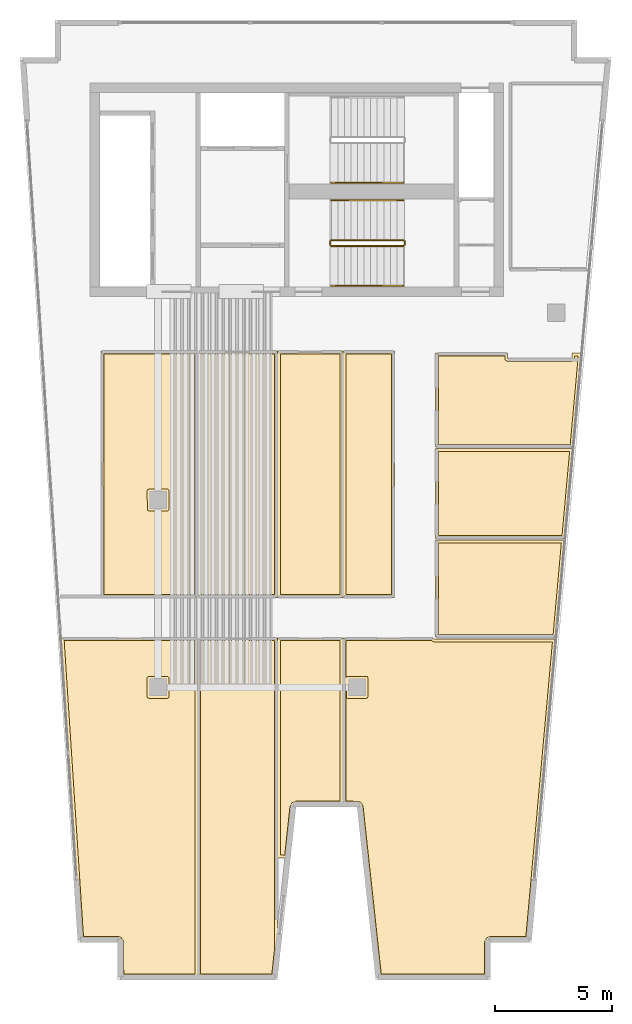
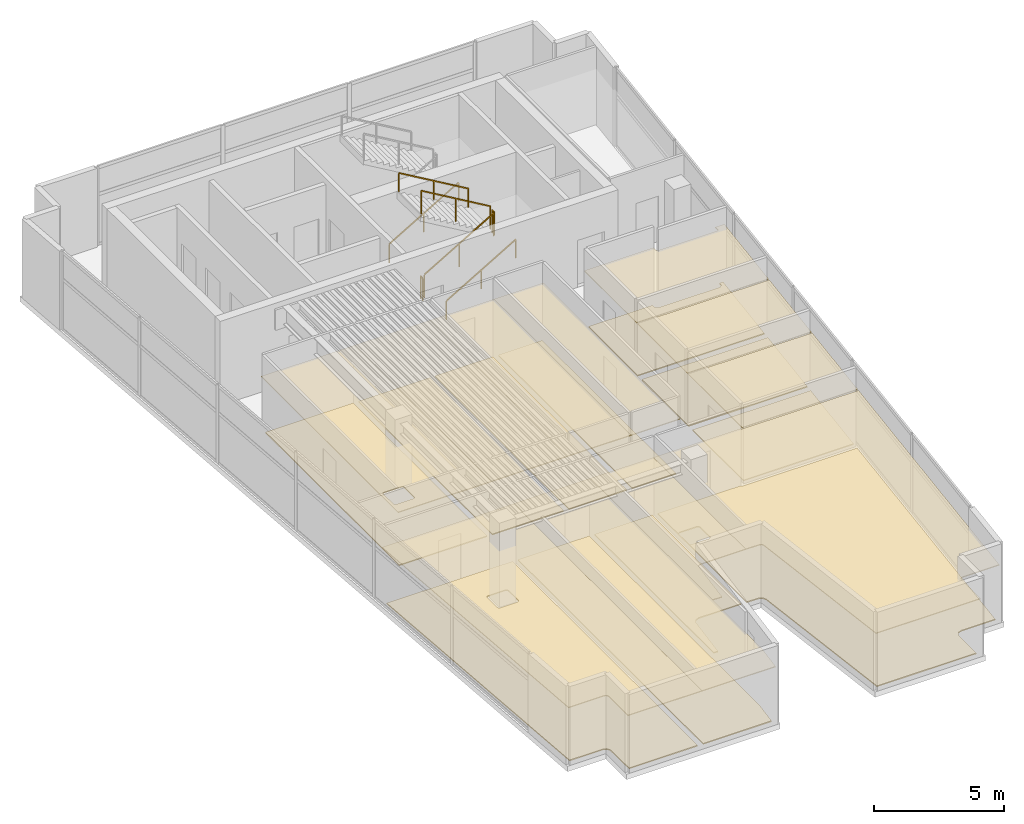
# One storey, part 6 of 7: 22 coverings, 7 railings.
"""IFC4 building model written with IfcOpenShell, lengths in metres."""

from ifc_helpers import new_model, si_unit, direction, frame, origin, origin_2d, place, context, subcontext, project, spatial, polyline, rectangle, outline, extrude, material, layer, layer_set, type_object, element, save


model = new_model("IFC4")

# Units and contexts
model_context = context("Model", 3, precision=1e-05, world=origin(), true_north=direction((0.0, 1.0)))
body_context = subcontext(model_context, "Body", "Model", "MODEL_VIEW")
ifc_project = project(units=[si_unit("LENGTHUNIT", "METRE"), si_unit("AREAUNIT", "SQUARE_METRE"), si_unit("VOLUMEUNIT", "CUBIC_METRE"), si_unit("PLANEANGLEUNIT", "RADIAN"), si_unit("MASSUNIT", "GRAM", prefix="KILO")], contexts=[model_context])

# Site, building, storey
site_placement = place(None, origin())
site = spatial("IfcSite", under=ifc_project, at=site_placement, CompositionType="ELEMENT")
building_placement = place(site_placement, origin())
building = spatial("IfcBuilding", under=site, at=building_placement, Name="Caeloran Harvest Quay", CompositionType="ELEMENT")
storey_placement = place(building_placement, frame((0.0, 0.0, 308.050048828125)))
storey = spatial("IfcBuildingStorey", under=building, at=storey_placement, Name="L74", CompositionType="ELEMENT", Elevation=308.050048828125)

# Coverings
ifc_material_1 = material(Name="Perforated Mineral-Fibre Acoustic Ceiling Tile", Category="ceiling")
ifc_layer_1 = layer(ifc_material_1, 0.0400390625, Name="Perforated Mineral-Fibre Acoustic Ceiling Tile")
ifc_layer_set_1 = layer_set([ifc_layer_1], Name="Perforated Mineral-Fibre Acoustic Ceiling Tile")
covering_type_1 = type_object("IfcCoveringType", Name="COV-CEILING-ACOUSTIC", PredefinedType="CEILING", material=ifc_layer_set_1)
covering_1_placement = place(storey_placement, frame((0.0, 0.0, 2.599853515625)))
element("IfcCovering", 1, at=covering_1_placement, inside=storey, type_object=covering_type_1, Name="L74 Male Washroom WC Acoustic Ceiling", PredefinedType="CEILING", context=body_context, shape_type="SweptSolid", body=[
    extrude(outline(polyline([(23.429931640625, 29.280029296875), (23.43017578125, 29.048095703125), (23.450927734375, 29.030029296875), (26.152099609375, 29.030029296875), (26.169921875, 29.048095703125), (26.169921875, 29.280029296875), (26.576904296875, 29.280029296875), (26.214599609375, 25.260009765625), (20.360107421875, 25.260009765625), (20.360107421875, 29.280029296875), (23.429931640625, 29.280029296875)])), origin(), (0.0, 0.0, 1.0), 0.0400390625),
])
covering_2_placement = place(storey_placement, frame((0.0, 0.0, 2.599853515625)))
element("IfcCovering", 2, at=covering_2_placement, inside=storey, type_object=covering_type_1, Name="L74 Female Washroom WC Acoustic Ceiling", PredefinedType="CEILING", context=body_context, shape_type="SweptSolid", body=[
    extrude(outline(polyline([(26.208251953125, 25.18994140625), (25.86279296875, 21.360107421875), (20.360107421875, 21.360107421875), (20.360107421875, 25.18994140625), (26.208251953125, 25.18994140625)])), origin(), (0.0, 0.0, 1.0), 0.0400390625),
])
covering_3_placement = place(storey_placement, frame((0.0, 0.0, 2.599853515625)))
element("IfcCovering", 3, at=covering_3_placement, inside=storey, type_object=covering_type_1, Name="L74 Accessible Unisex Washroom WC Acoustic Ceiling", PredefinedType="CEILING", context=body_context, shape_type="SweptSolid", body=[
    extrude(outline(polyline([(25.8564453125, 21.2900390625), (25.482177734375, 17.139892578125), (20.360107421875, 17.139892578125), (20.360107421875, 21.2900390625), (25.8564453125, 21.2900390625)])), origin(), (0.0, 0.0, 1.0), 0.0400390625),
])
covering_4_placement = place(storey_placement, frame((0.0, 0.0, 2.599853515625)))
element("IfcCovering", 4, at=covering_4_placement, inside=storey, type_object=covering_type_1, Name="West Harbour Tasting Kitchen Acoustic Ceiling", PredefinedType="CEILING", context=body_context, shape_type="SweptSolid", body=[
    extrude(outline(polyline([(10.199951171875, 2.639892578125), (10.199951171875, 17.110107421875), (13.60009765625, 17.110107421875), (13.60009765625, 3.868408203125), (13.466796875, 2.639892578125), (10.199951171875, 2.639892578125)])), origin(), (0.0, 0.0, 1.0), 0.0400390625),
])
covering_5_placement = place(storey_placement, frame((0.0, 0.0, 2.599853515625)))
element("IfcCovering", 5, at=covering_5_placement, inside=storey, type_object=covering_type_1, Name="Executive Dining Kitchen Acoustic Ceiling", PredefinedType="CEILING", context=body_context, shape_type="SweptSolid", body=[
    extrude(outline(polyline([(6.90087890625, 4.166015625), (6.843505859375, 4.223388671875), (6.776611328125, 4.239990234375), (5.2041015625, 4.239990234375), (4.36376953125, 17.110107421875), (10.199951171875, 17.110107421875), (10.199951171875, 2.639892578125), (6.91748046875, 2.639892578125), (6.91748046875, 4.09912109375), (6.90087890625, 4.166015625)])), origin(), (0.0, 0.0, 1.0), 0.0400390625),
])
covering_6_placement = place(storey_placement, frame((0.0, 0.0, 2.599853515625)))
element("IfcCovering", 6, at=covering_6_placement, inside=storey, type_object=covering_type_1, Name="Sommelier Prep Kitchen Acoustic Ceiling", PredefinedType="CEILING", context=body_context, shape_type="SweptSolid", body=[
    extrude(outline(polyline([(25.47509765625, 17.06005859375), (24.31884765625, 4.239990234375), (22.70361328125, 4.239990234375), (22.64892578125, 4.229248046875), (22.603515625, 4.198974609375), (22.5732421875, 4.153564453125), (22.5625, 4.09912109375), (22.5625, 2.639892578125), (17.925537109375, 2.639892578125), (17.136962890625, 9.90869140625), (17.098388671875, 9.9794921875), (17.027099609375, 10.017333984375), (16.39990234375, 10.02001953125), (16.39990234375, 17.110107421875), (20.24951171875, 17.110107421875), (20.2900390625, 17.080078125), (20.2900390625, 17.06005859375), (25.47509765625, 17.06005859375)])), origin(), (0.0, 0.0, 1.0), 0.0400390625),
])
covering_7_placement = place(storey_placement, frame((0.0, 0.0, 2.599853515625)))
element("IfcCovering", 7, at=covering_7_placement, inside=storey, type_object=covering_type_1, Name="Crown Culinary Meeting Room Acoustic Ceiling", PredefinedType="CEILING", context=body_context, shape_type="SweptSolid", body=[
    extrude(outline(polyline([(16.39990234375, 17.110107421875), (16.39990234375, 10.02001953125), (14.3935546875, 10.02001953125), (14.30419921875, 9.988525390625), (14.26953125, 9.947021484375), (14.253173828125, 9.89404296875), (14.015380859375, 7.7001953125), (13.60009765625, 7.72265625), (13.60009765625, 17.110107421875), (16.39990234375, 17.110107421875)])), origin(), (0.0, 0.0, 1.0), 0.0400390625),
])
covering_8_placement = place(storey_placement, frame((0.0, 0.0, 2.599853515625)))
element("IfcCovering", 8, at=covering_8_placement, inside=storey, type_object=covering_type_1, Name="Sky-Atrium Observation Lounge Acoustic Ceiling", PredefinedType="CEILING", context=body_context, shape_type="SweptSolid", body=[
    extrude(outline(polyline([(10.199951171875, 29.360107421875), (10.199951171875, 18.840087890625), (6.070068359375, 18.840087890625), (6.070068359375, 29.360107421875), (10.199951171875, 29.360107421875)])), origin(), (0.0, 0.0, 1.0), 0.0400390625),
])
covering_9_placement = place(storey_placement, frame((0.0, 0.0, 2.599853515625)))
element("IfcCovering", 9, at=covering_9_placement, inside=storey, type_object=covering_type_1, Name="Botanical Tea Kitchen Acoustic Ceiling", PredefinedType="CEILING", context=body_context, shape_type="SweptSolid", body=[
    extrude(outline(polyline([(10.199951171875, 29.360107421875), (13.60009765625, 29.360107421875), (13.60009765625, 18.840087890625), (10.199951171875, 18.840087890625), (10.199951171875, 29.360107421875)])), origin(), (0.0, 0.0, 1.0), 0.0400390625),
])
covering_10_placement = place(storey_placement, frame((0.0, 0.0, 2.599853515625)))
element("IfcCovering", 10, at=covering_10_placement, inside=storey, type_object=covering_type_1, Name="West Harbour Tasting Kitchen 7 Acoustic Ceiling", PredefinedType="CEILING", context=body_context, shape_type="SweptSolid", body=[
    extrude(outline(polyline([(13.60009765625, 29.360107421875), (16.39990234375, 29.360107421875), (16.39990234375, 18.840087890625), (13.60009765625, 18.840087890625), (13.60009765625, 29.360107421875)])), origin(), (0.0, 0.0, 1.0), 0.0400390625),
])
covering_11_placement = place(storey_placement, frame((0.0, 0.0, 2.599853515625)))
element("IfcCovering", 11, at=covering_11_placement, inside=storey, type_object=covering_type_1, Name="Executive Dining Kitchen 8 Acoustic Ceiling", PredefinedType="CEILING", context=body_context, shape_type="SweptSolid", body=[
    extrude(outline(polyline([(16.39990234375, 29.360107421875), (18.590087890625, 29.360107421875), (18.590087890625, 18.840087890625), (16.39990234375, 18.840087890625), (16.39990234375, 29.360107421875)])), origin(), (0.0, 0.0, 1.0), 0.0400390625),
])
ifc_material_2 = material(Name="Calcium-Sulphate Raised Access Floor and Terrazzo Finish", Category="flooring")
ifc_layer_2 = layer(ifc_material_2, 0.050048828125, Name="Calcium-Sulphate Raised Access Floor and Terrazzo Finish")
ifc_layer_set_2 = layer_set([ifc_layer_2], Name="Calcium-Sulphate Raised Access Floor and Terrazzo Finish")
covering_type_2 = type_object("IfcCoveringType", Name="COV-FLOOR-RAISED", PredefinedType="FLOORING", material=ifc_layer_set_2)
covering_12_placement = place(storey_placement, origin())
element("IfcCovering", 12, at=covering_12_placement, inside=storey, type_object=covering_type_2, Name="L74 Male Washroom WC Raised Finish Flooring", PredefinedType="FLOORING", context=body_context, shape_type="SweptSolid", body=[
    extrude(outline(polyline([(23.31005859375, 29.159912109375), (23.32861328125, 28.980712890625), (23.449951171875, 28.909912109375), (26.159912109375, 28.910400390625), (26.275146484375, 28.987548828125), (26.2900390625, 29.159912109375), (26.44580078125, 29.159912109375), (26.104736328125, 25.3798828125), (20.47998046875, 25.3798828125), (20.47998046875, 29.159912109375), (23.31005859375, 29.159912109375)])), origin(), (0.0, 0.0, 1.0), 0.050048828125),
])
covering_13_placement = place(storey_placement, origin())
element("IfcCovering", 13, at=covering_13_placement, inside=storey, type_object=covering_type_2, Name="L74 Female Washroom WC Raised Finish Flooring", PredefinedType="FLOORING", context=body_context, shape_type="SweptSolid", body=[
    extrude(outline(polyline([(26.076904296875, 25.070068359375), (25.753173828125, 21.47998046875), (20.47998046875, 21.47998046875), (20.47998046875, 25.070068359375), (26.076904296875, 25.070068359375)])), origin(), (0.0, 0.0, 1.0), 0.050048828125),
])
covering_14_placement = place(storey_placement, origin())
element("IfcCovering", 14, at=covering_14_placement, inside=storey, type_object=covering_type_2, Name="L74 Accessible Unisex Washroom WC Raised Finish Flooring", PredefinedType="FLOORING", context=body_context, shape_type="SweptSolid", body=[
    extrude(outline(polyline([(25.72509765625, 21.169921875), (25.37255859375, 17.260009765625), (20.47998046875, 17.260009765625), (20.47998046875, 21.169921875), (25.72509765625, 21.169921875)])), origin(), (0.0, 0.0, 1.0), 0.050048828125),
])
covering_15_placement = place(storey_placement, origin())
element("IfcCovering", 15, at=covering_15_placement, inside=storey, type_object=covering_type_2, Name="West Harbour Tasting Kitchen Raised Finish Flooring", PredefinedType="FLOORING", context=body_context, shape_type="SweptSolid", body=[
    extrude(outline(polyline([(10.320068359375, 2.760009765625), (10.320068359375, 16.989990234375), (13.47998046875, 16.989990234375), (13.47998046875, 3.874755859375), (13.359130859375, 2.760009765625), (10.320068359375, 2.760009765625)])), origin(), (0.0, 0.0, 1.0), 0.050048828125),
])
covering_16_placement = place(storey_placement, origin())
element("IfcCovering", 16, at=covering_16_placement, inside=storey, type_object=covering_type_2, Name="Executive Dining Kitchen Raised Finish Flooring", PredefinedType="FLOORING", context=body_context, shape_type="SweptSolid", body=[
    extrude(outline(polyline([(7.01904296875, 4.19580078125), (6.92529296875, 4.31396484375), (6.799072265625, 4.35888671875), (5.316650390625, 4.360107421875), (4.49169921875, 16.989990234375), (10.080078125, 16.989990234375), (10.080078125, 2.760009765625), (7.03759765625, 2.760009765625), (7.01904296875, 4.19580078125)]), holes=[polyline([(8.030029296875, 14.610107421875), (8.053466796875, 14.553466796875), (8.102294921875, 14.530517578125), (8.889892578125, 14.530029296875), (8.946533203125, 14.553466796875), (8.969970703125, 14.610107421875), (8.969970703125, 15.389892578125), (8.946533203125, 15.446533203125), (8.889892578125, 15.469970703125), (8.110107421875, 15.469970703125), (8.053466796875, 15.446533203125), (8.030029296875, 15.389892578125), (8.030029296875, 14.610107421875)])]), origin(), (0.0, 0.0, 1.0), 0.050048828125),
])
covering_17_placement = place(storey_placement, origin())
element("IfcCovering", 17, at=covering_17_placement, inside=storey, type_object=covering_type_2, Name="Sommelier Prep Kitchen Raised Finish Flooring", PredefinedType="FLOORING", context=body_context, shape_type="SweptSolid", body=[
    extrude(outline(polyline([(20.18798828125, 16.989990234375), (20.280029296875, 16.93994140625), (25.34375, 16.93994140625), (24.209228515625, 4.360107421875), (22.698486328125, 4.35986328125), (22.53466796875, 4.29833984375), (22.443603515625, 4.12158203125), (22.4423828125, 2.760009765625), (18.033203125, 2.760009765625), (17.255126953125, 9.92919921875), (17.185546875, 10.06201171875), (17.0712890625, 10.1298828125), (16.52001953125, 10.139892578125), (16.52001953125, 16.989990234375), (20.18798828125, 16.989990234375)]), holes=[polyline([(16.530029296875, 15.389892578125), (16.548095703125, 14.55908203125), (16.602294921875, 14.530517578125), (17.389892578125, 14.530029296875), (17.446533203125, 14.553466796875), (17.469970703125, 14.610107421875), (17.469970703125, 15.389892578125), (17.446533203125, 15.446533203125), (17.389892578125, 15.469970703125), (16.610107421875, 15.469970703125), (16.553466796875, 15.446533203125), (16.530029296875, 15.389892578125)])]), origin(), (0.0, 0.0, 1.0), 0.050048828125),
])
covering_18_placement = place(storey_placement, origin())
element("IfcCovering", 18, at=covering_18_placement, inside=storey, type_object=covering_type_2, Name="Crown Culinary Meeting Room Raised Finish Flooring", PredefinedType="FLOORING", context=body_context, shape_type="SweptSolid", body=[
    extrude(outline(polyline([(16.280029296875, 16.989990234375), (16.280029296875, 10.139892578125), (14.388671875, 10.139892578125), (14.21240234375, 10.0673828125), (14.134521484375, 9.911865234375), (13.908203125, 7.826171875), (13.719970703125, 7.836181640625), (13.719970703125, 16.989990234375), (16.280029296875, 16.989990234375)])), origin(), (0.0, 0.0, 1.0), 0.050048828125),
])
covering_19_placement = place(storey_placement, origin())
element("IfcCovering", 19, at=covering_19_placement, inside=storey, type_object=covering_type_2, Name="Sky-Atrium Observation Lounge Raised Finish Flooring", PredefinedType="FLOORING", context=body_context, shape_type="SweptSolid", body=[
    extrude(outline(polyline([(6.18994140625, 29.239990234375), (10.080078125, 29.239990234375), (10.080078125, 18.9599609375), (6.18994140625, 18.9599609375), (6.18994140625, 29.239990234375)]), holes=[polyline([(8.030029296875, 23.389892578125), (8.048095703125, 22.55908203125), (8.102294921875, 22.530517578125), (8.889892578125, 22.530029296875), (8.946533203125, 22.553466796875), (8.969970703125, 22.610107421875), (8.969970703125, 23.389892578125), (8.946533203125, 23.446533203125), (8.889892578125, 23.469970703125), (8.110107421875, 23.469970703125), (8.053466796875, 23.446533203125), (8.030029296875, 23.389892578125)])]), origin(), (0.0, 0.0, 1.0), 0.050048828125),
])
covering_20_placement = place(storey_placement, origin())
element("IfcCovering", 20, at=covering_20_placement, inside=storey, type_object=covering_type_2, Name="Botanical Tea Kitchen Raised Finish Flooring", PredefinedType="FLOORING", context=body_context, shape_type="SweptSolid", body=[
    extrude(outline(polyline([(10.320068359375, 29.239990234375), (13.47998046875, 29.239990234375), (13.47998046875, 18.9599609375), (10.320068359375, 18.9599609375), (10.320068359375, 29.239990234375)])), origin(), (0.0, 0.0, 1.0), 0.050048828125),
])
covering_21_placement = place(storey_placement, origin())
element("IfcCovering", 21, at=covering_21_placement, inside=storey, type_object=covering_type_2, Name="West Harbour Tasting Kitchen 7 Raised Finish Flooring", PredefinedType="FLOORING", context=body_context, shape_type="SweptSolid", body=[
    extrude(outline(polyline([(13.719970703125, 29.239990234375), (16.280029296875, 29.239990234375), (16.280029296875, 18.9599609375), (13.719970703125, 18.9599609375), (13.719970703125, 29.239990234375)])), origin(), (0.0, 0.0, 1.0), 0.050048828125),
])
covering_22_placement = place(storey_placement, origin())
element("IfcCovering", 22, at=covering_22_placement, inside=storey, type_object=covering_type_2, Name="Executive Dining Kitchen 8 Raised Finish Flooring", PredefinedType="FLOORING", context=body_context, shape_type="SweptSolid", body=[
    extrude(outline(polyline([(16.52001953125, 29.239990234375), (18.469970703125, 29.239990234375), (18.469970703125, 18.9599609375), (16.52001953125, 18.9599609375), (16.52001953125, 29.239990234375)])), origin(), (0.0, 0.0, 1.0), 0.050048828125),
])

# Railings
ifc_material_3 = material(Name="Painted Steel Baluster and Top-Rail Stair Guard", Category="steel")
ifc_layer_3 = layer(ifc_material_3, 0.050048828125, Name="Painted Steel Baluster and Top-Rail Stair Guard")
ifc_layer_set_3 = layer_set([ifc_layer_3], Name="Painted Steel Baluster and Top-Rail Stair Guard")
railing_type_1 = type_object("IfcRailingType", Name="STAIR-GUARD-1100", PredefinedType="GUARDRAIL", material=ifc_layer_set_3)
railing_1_placement = place(storey_placement, frame((15.89990234375, 33.85009765625, 0.16455078125)))
element("IfcRailing", 23, at=railing_1_placement, inside=storey, type_object=railing_type_1, Name="L74 ST-C2 stair guard 1", PredefinedType="GUARDRAIL", context=body_context, shape_type="SweptSolid", body=[
    extrude(rectangle(XDim=0.048095703125, YDim=0.048095703125, at=origin_2d()), frame((0.0, 0.0, 1.076171875), z_axis=(0.862118610829, 0.0, 0.506706523406), x_axis=(0.0, 1.0, 0.0)), (0.0, 0.0, 1.0), 3.57275390625),
    extrude(rectangle(XDim=0.0419921875, YDim=0.0419921875, at=origin_2d()), origin(), (0.0, 0.0, 1.0), 1.052001953125),
    extrude(rectangle(XDim=0.0419921875, YDim=0.0419921875, at=origin_2d()), frame((1.5400390625, 0.0, 0.9052734375)), (0.0, 0.0, 1.0), 1.052001953125),
    extrude(rectangle(XDim=0.0419921875, YDim=0.0419921875, at=origin_2d()), frame((3.080078125, 0.0, 1.810302734375)), (0.0, 0.0, 1.0), 1.052001953125),
])
railing_2_placement = place(storey_placement, frame((19.030029296875, 33.89990234375, 1.974853515625)))
element("IfcRailing", 24, at=railing_2_placement, inside=storey, type_object=railing_type_1, Name="L74 ST-C2 stair guard 2", PredefinedType="GUARDRAIL", context=body_context, shape_type="SweptSolid", body=[
    extrude(rectangle(XDim=0.048095703125, YDim=0.048095703125, at=origin_2d()), frame((0.0, 0.0, 1.076171875), z_axis=(0.0, 1.0, 0.0), x_axis=(-1.0, 0.0, 0.0)), (0.0, 0.0, 1.0), 0.150146484375),
    extrude(rectangle(XDim=0.0419921875, YDim=0.0419921875, at=origin_2d()), origin(), (0.0, 0.0, 1.0), 1.052001953125),
    extrude(rectangle(XDim=0.0419921875, YDim=0.0419921875, at=origin_2d()), frame((0.0, 0.150146484375, 0.0)), (0.0, 0.0, 1.0), 1.052001953125),
])
railing_3_placement = place(storey_placement, frame((18.97998046875, 34.10009765625, 2.1396484375)))
element("IfcRailing", 25, at=railing_3_placement, inside=storey, type_object=railing_type_1, Name="L74 ST-C2 stair guard 3", PredefinedType="GUARDRAIL", context=body_context, shape_type="SweptSolid", body=[
    extrude(rectangle(XDim=0.048095703125, YDim=0.048095703125, at=origin_2d()), frame((0.0, 0.0, 1.076171875), z_axis=(-0.862118610829, 0.0, 0.506706523406), x_axis=(0.0, -1.0, 0.0)), (0.0, 0.0, 1.0), 3.57275390625),
    extrude(rectangle(XDim=0.0419921875, YDim=0.0419921875, at=origin_2d()), origin(), (0.0, 0.0, 1.0), 1.052001953125),
    extrude(rectangle(XDim=0.0419921875, YDim=0.0419921875, at=origin_2d()), frame((-1.5400390625, 0.0, 0.9052734375)), (0.0, 0.0, 1.0), 1.052001953125),
    extrude(rectangle(XDim=0.0419921875, YDim=0.0419921875, at=origin_2d()), frame((-3.080078125, 0.0, 1.810302734375)), (0.0, 0.0, 1.0), 1.052001953125),
])
railing_4_placement = place(storey_placement, frame((15.85009765625, 33.89990234375, 0.0)))
element("IfcRailing", 26, at=railing_4_placement, inside=storey, type_object=railing_type_1, Name="L74 ST-C2 stair guard 4", PredefinedType="GUARDRAIL", context=body_context, shape_type="SweptSolid", body=[
    extrude(rectangle(XDim=0.048095703125, YDim=0.048095703125, at=origin_2d()), frame((0.0, 0.0, 1.076171875), z_axis=(0.0, 1.0, 0.0), x_axis=(-1.0, 0.0, 0.0)), (0.0, 0.0, 1.0), 0.150146484375),
    extrude(rectangle(XDim=0.0419921875, YDim=0.0419921875, at=origin_2d()), origin(), (0.0, 0.0, 1.0), 1.052001953125),
    extrude(rectangle(XDim=0.0419921875, YDim=0.0419921875, at=origin_2d()), frame((0.0, 0.150146484375, 0.0)), (0.0, 0.0, 1.0), 1.052001953125),
])
ifc_material_4 = material(Name="Brushed Stainless Steel Grade 304", Category="steel")
ifc_layer_4 = layer(ifc_material_4, 0.050048828125, Name="Brushed Stainless Steel Grade 304")
ifc_layer_set_4 = layer_set([ifc_layer_4], Name="Brushed Stainless Steel Grade 304")
railing_type_2 = type_object("IfcRailingType", Name="STAIR-HANDRAIL-900", PredefinedType="HANDRAIL", material=ifc_layer_set_4)
for number, where, name in (
    (27, (15.89990234375, 36.550048828125, 0.16455078125), "L74 ST-C1 stair handrail 1"),
    (28, (15.89990234375, 32.14990234375, 0.16455078125), "L74 ST-C2 stair handrail 1"),
):
    element("IfcRailing", number, at=place(storey_placement, frame(where)), inside=storey, type_object=railing_type_2, Name=name, PredefinedType="HANDRAIL", context=body_context, shape_type="SweptSolid", body=[
        extrude(rectangle(XDim=0.048095703125, YDim=0.048095703125, at=origin_2d()), frame((0.0, 0.0, 0.8759765625), z_axis=(0.862118610829, 0.0, 0.506706523406), x_axis=(0.0, 1.0, 0.0)), (0.0, 0.0, 1.0), 3.57275390625),
        extrude(rectangle(XDim=0.0419921875, YDim=0.0419921875, at=origin_2d()), origin(), (0.0, 0.0, 1.0), 0.851806640625),
        extrude(rectangle(XDim=0.0419921875, YDim=0.0419921875, at=origin_2d()), frame((1.5400390625, 0.0, 0.9052734375)), (0.0, 0.0, 1.0), 0.851806640625),
        extrude(rectangle(XDim=0.0419921875, YDim=0.0419921875, at=origin_2d()), frame((3.080078125, 0.0, 1.810302734375)), (0.0, 0.0, 1.0), 0.851806640625),
    ])
railing_5_placement = place(storey_placement, frame((18.97998046875, 35.800048828125, 2.1396484375)))
element("IfcRailing", 29, at=railing_5_placement, inside=storey, type_object=railing_type_2, Name="L74 ST-C2 stair handrail 2", PredefinedType="HANDRAIL", context=body_context, shape_type="SweptSolid", body=[
    extrude(rectangle(XDim=0.048095703125, YDim=0.048095703125, at=origin_2d()), frame((0.0, 0.0, 0.8759765625), z_axis=(-0.862118610829, 0.0, 0.506706523406), x_axis=(0.0, -1.0, 0.0)), (0.0, 0.0, 1.0), 3.57275390625),
    extrude(rectangle(XDim=0.0419921875, YDim=0.0419921875, at=origin_2d()), origin(), (0.0, 0.0, 1.0), 0.851806640625),
    extrude(rectangle(XDim=0.0419921875, YDim=0.0419921875, at=origin_2d()), frame((-1.5400390625, 0.0, 0.9052734375)), (0.0, 0.0, 1.0), 0.851806640625),
    extrude(rectangle(XDim=0.0419921875, YDim=0.0419921875, at=origin_2d()), frame((-3.080078125, 0.0, 1.810302734375)), (0.0, 0.0, 1.0), 0.851806640625),
])

save(model, "model.ifc")
